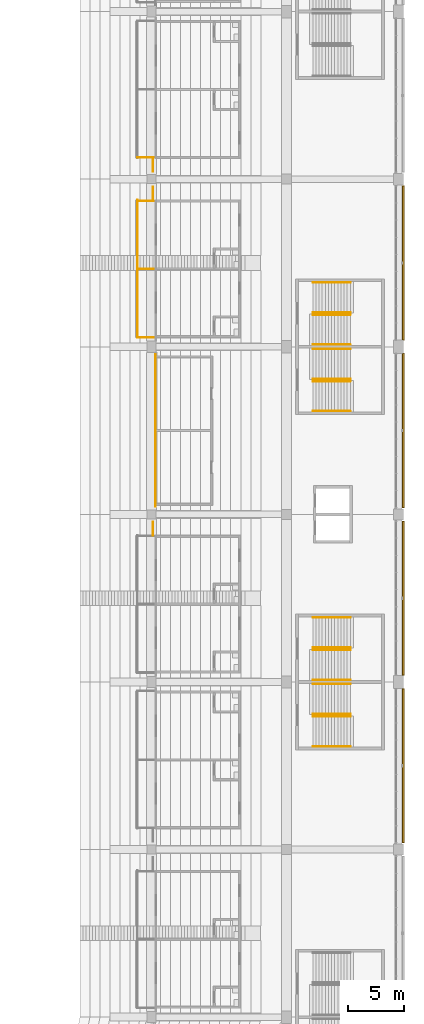
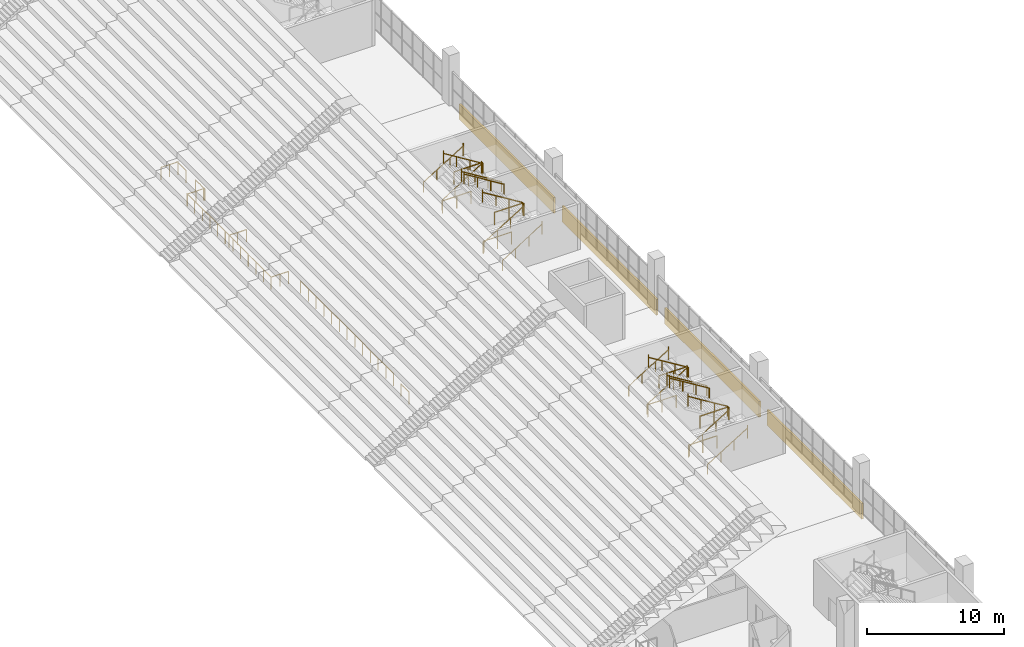
# One storey, part 238 of 249: 33 railings, 4 coverings.
"""IFC4 building model written with IfcOpenShell, lengths in metres."""

from ifc_helpers import new_model, si_unit, direction, frame, origin, origin_2d, place, context, subcontext, project, spatial, polyline, circle, outline, extrude, material, layer, layer_set, type_object, element, save


model = new_model("IFC4")

# Units and contexts
model_context = context("Model", 3, precision=1e-05, world=origin(), true_north=direction((0.0, 1.0)))
body_context = subcontext(model_context, "Body", "Model", "MODEL_VIEW")
ifc_project = project(units=[si_unit("LENGTHUNIT", "METRE"), si_unit("AREAUNIT", "SQUARE_METRE"), si_unit("VOLUMEUNIT", "CUBIC_METRE"), si_unit("PLANEANGLEUNIT", "RADIAN"), si_unit("MASSUNIT", "GRAM", prefix="KILO")], contexts=[model_context])

# Site, building, storey
site_placement = place(None, origin())
site = spatial("IfcSite", under=ifc_project, at=site_placement, CompositionType="ELEMENT")
building_placement = place(site_placement, origin())
building = spatial("IfcBuilding", under=site, at=building_placement, Name="Ogive Plaza Stadium", CompositionType="ELEMENT")
storey_placement = place(building_placement, frame((0.0, 0.0, 13.5)))
storey = spatial("IfcBuildingStorey", under=building, at=storey_placement, Name="L03", CompositionType="ELEMENT", Elevation=13.5)

# Railings
ifc_material_1 = material(Name="Steel ASTM A572 Grade 50", Category="steel")
railing_type_1 = type_object("IfcRailingType", Name="Guard 1100", PredefinedType="GUARDRAIL", material=ifc_material_1)
for number, where, name in (
    (1, (76.35009765625, 4.52490234375, 0.0), "Stair well guard ST04A L03"),
    (2, (77.31005859375, 4.52490234375, 2.25), "Stair well guard ST04A L03"),
    (3, (76.35009765625, 10.47509765625, 0.0), "Stair well guard ST04B L03"),
    (4, (77.31005859375, 10.47509765625, 2.25), "Stair well guard ST04B L03"),
    (5, (76.35009765625, -25.47509765625, 0.0), "Stair well guard ST06A L03"),
    (6, (77.31005859375, -25.47509765625, 2.25), "Stair well guard ST06A L03"),
    (7, (76.35009765625, -19.52490234375, 0.0), "Stair well guard ST06B L03"),
    (8, (77.31005859375, -19.52490234375, 2.25), "Stair well guard ST06B L03"),
):
    element("IfcRailing", number, at=place(storey_placement, frame(where)), inside=storey, type_object=railing_type_1, Name=name, PredefinedType="GUARDRAIL", context=body_context, shape_type="SweptSolid", body=[
        extrude(circle(Radius=0.02392578125, at=origin_2d()), frame((0.0, 0.0, 1.076171875), z_axis=(1.0, 0.0, 0.0), x_axis=(0.0, 1.0, 0.0)), (0.0, 0.0, 1.0), 2.39990234375),
        extrude(circle(Radius=0.02099609375, at=origin_2d()), origin(), (0.0, 0.0, 1.0), 1.052001953125),
        extrude(circle(Radius=0.02099609375, at=origin_2d()), frame((1.199951171875, 0.0, 0.0)), (0.0, 0.0, 1.0), 1.052001953125),
        extrude(circle(Radius=0.02099609375, at=origin_2d()), frame((2.39990234375, 0.0, 0.0)), (0.0, 0.0, 1.0), 1.052001953125),
    ])
railing_1_placement = place(storey_placement, frame((62.25, 6.800048828125, 0.0)))
element("IfcRailing", 9, at=railing_1_placement, inside=storey, type_object=railing_type_1, Name="Guard L03 B04", PredefinedType="GUARDRAIL", context=body_context, shape_type="SweptSolid", body=[
    extrude(circle(Radius=0.02392578125, at=origin_2d()), frame((0.0, 0.0, 1.076171875), z_axis=(0.0, -1.0, 0.0), x_axis=(1.0, 0.0, 0.0)), (0.0, 0.0, 1.0), 13.60009765625),
    extrude(circle(Radius=0.02099609375, at=origin_2d()), origin(), (0.0, 0.0, 1.0), 1.052001953125),
    extrude(circle(Radius=0.02099609375, at=origin_2d()), frame((0.0, -1.13330078125, 0.0)), (0.0, 0.0, 1.0), 1.052001953125),
    extrude(circle(Radius=0.02099609375, at=origin_2d()), frame((0.0, -2.2666015625, 0.0)), (0.0, 0.0, 1.0), 1.052001953125),
    extrude(circle(Radius=0.02099609375, at=origin_2d()), frame((0.0, -3.39990234375, 0.0)), (0.0, 0.0, 1.0), 1.052001953125),
    extrude(circle(Radius=0.02099609375, at=origin_2d()), frame((0.0, -4.533447265625, 0.0)), (0.0, 0.0, 1.0), 1.052001953125),
    extrude(circle(Radius=0.02099609375, at=origin_2d()), frame((0.0, -5.666748046875, 0.0)), (0.0, 0.0, 1.0), 1.052001953125),
    extrude(circle(Radius=0.02099609375, at=origin_2d()), frame((0.0, -6.800048828125, 0.0)), (0.0, 0.0, 1.0), 1.052001953125),
    extrude(circle(Radius=0.02099609375, at=origin_2d()), frame((0.0, -7.933349609375, 0.0)), (0.0, 0.0, 1.0), 1.052001953125),
    extrude(circle(Radius=0.02099609375, at=origin_2d()), frame((0.0, -9.066650390625, 0.0)), (0.0, 0.0, 1.0), 1.052001953125),
    extrude(circle(Radius=0.02099609375, at=origin_2d()), frame((0.0, -10.2001953125, 0.0)), (0.0, 0.0, 1.0), 1.052001953125),
    extrude(circle(Radius=0.02099609375, at=origin_2d()), frame((0.0, -11.33349609375, 0.0)), (0.0, 0.0, 1.0), 1.052001953125),
    extrude(circle(Radius=0.02099609375, at=origin_2d()), frame((0.0, -12.466796875, 0.0)), (0.0, 0.0, 1.0), 1.052001953125),
    extrude(circle(Radius=0.02099609375, at=origin_2d()), frame((0.0, -13.60009765625, 0.0)), (0.0, 0.0, 1.0), 1.052001953125),
])
railing_2_placement = place(storey_placement, frame((62.050048828125, 24.375, 0.0)))
element("IfcRailing", 10, at=railing_2_placement, inside=storey, type_object=railing_type_1, Name="Floor edge guard B02", PredefinedType="GUARDRAIL", context=body_context, shape_type="SweptSolid", body=[
    extrude(circle(Radius=0.02392578125, at=origin_2d()), frame((0.0, 0.0, 1.076171875), z_axis=(0.0, -1.0, 0.0), x_axis=(1.0, 0.0, 0.0)), (0.0, 0.0, 1.0), 1.175048828125),
    extrude(circle(Radius=0.02099609375, at=origin_2d()), origin(), (0.0, 0.0, 1.0), 1.052001953125),
    extrude(circle(Radius=0.02099609375, at=origin_2d()), frame((0.0, -1.175048828125, 0.0)), (0.0, 0.0, 1.0), 1.052001953125),
])
railing_3_placement = place(storey_placement, frame((60.64990234375, 24.449951171875, 0.0)))
element("IfcRailing", 11, at=railing_3_placement, inside=storey, type_object=railing_type_1, Name="Terrace screen B02", PredefinedType="GUARDRAIL", context=body_context, shape_type="SweptSolid", body=[
    extrude(circle(Radius=0.02392578125, at=origin_2d()), frame((0.0, 0.0, 1.076171875), z_axis=(1.0, 0.0, 0.0), x_axis=(0.0, 1.0, 0.0)), (0.0, 0.0, 1.0), 1.4501953125),
    extrude(circle(Radius=0.02099609375, at=origin_2d()), origin(), (0.0, 0.0, 1.0), 1.052001953125),
    extrude(circle(Radius=0.02099609375, at=origin_2d()), frame((0.72509765625, 0.0, 0.0)), (0.0, 0.0, 1.0), 1.052001953125),
    extrude(circle(Radius=0.02099609375, at=origin_2d()), frame((1.4501953125, 0.0, 0.0)), (0.0, 0.0, 1.0), 1.052001953125),
])
railing_4_placement = place(storey_placement, frame((60.64990234375, 8.324951171875, 0.0)))
element("IfcRailing", 12, at=railing_4_placement, inside=storey, type_object=railing_type_1, Name="Terrace guard B03", PredefinedType="GUARDRAIL", context=body_context, shape_type="SweptSolid", body=[
    extrude(circle(Radius=0.02392578125, at=origin_2d()), frame((0.0, 0.0, 1.076171875), z_axis=(0.0, 1.0, 0.0), x_axis=(-1.0, 0.0, 0.0)), (0.0, 0.0, 1.0), 12.300048828125),
    extrude(circle(Radius=0.02099609375, at=origin_2d()), origin(), (0.0, 0.0, 1.0), 1.052001953125),
    extrude(circle(Radius=0.02099609375, at=origin_2d()), frame((0.0, 1.1181640625, 0.0)), (0.0, 0.0, 1.0), 1.052001953125),
    extrude(circle(Radius=0.02099609375, at=origin_2d()), frame((0.0, 2.236328125, 0.0)), (0.0, 0.0, 1.0), 1.052001953125),
    extrude(circle(Radius=0.02099609375, at=origin_2d()), frame((0.0, 3.3544921875, 0.0)), (0.0, 0.0, 1.0), 1.052001953125),
    extrude(circle(Radius=0.02099609375, at=origin_2d()), frame((0.0, 4.47265625, 0.0)), (0.0, 0.0, 1.0), 1.052001953125),
    extrude(circle(Radius=0.02099609375, at=origin_2d()), frame((0.0, 5.5908203125, 0.0)), (0.0, 0.0, 1.0), 1.052001953125),
    extrude(circle(Radius=0.02099609375, at=origin_2d()), frame((0.0, 6.709228515625, 0.0)), (0.0, 0.0, 1.0), 1.052001953125),
    extrude(circle(Radius=0.02099609375, at=origin_2d()), frame((0.0, 7.827392578125, 0.0)), (0.0, 0.0, 1.0), 1.052001953125),
    extrude(circle(Radius=0.02099609375, at=origin_2d()), frame((0.0, 8.945556640625, 0.0)), (0.0, 0.0, 1.0), 1.052001953125),
    extrude(circle(Radius=0.02099609375, at=origin_2d()), frame((0.0, 10.063720703125, 0.0)), (0.0, 0.0, 1.0), 1.052001953125),
    extrude(circle(Radius=0.02099609375, at=origin_2d()), frame((0.0, 11.181884765625, 0.0)), (0.0, 0.0, 1.0), 1.052001953125),
    extrude(circle(Radius=0.02099609375, at=origin_2d()), frame((0.0, 12.300048828125, 0.0)), (0.0, 0.0, 1.0), 1.052001953125),
])
railing_5_placement = place(storey_placement, frame((62.050048828125, 20.625, 0.0)))
element("IfcRailing", 13, at=railing_5_placement, inside=storey, type_object=railing_type_1, Name="Floor edge guard B03", PredefinedType="GUARDRAIL", context=body_context, shape_type="SweptSolid", body=[
    extrude(circle(Radius=0.02392578125, at=origin_2d()), frame((0.0, 0.0, 1.076171875), z_axis=(0.0, 1.0, 0.0), x_axis=(-1.0, 0.0, 0.0)), (0.0, 0.0, 1.0), 1.175048828125),
    extrude(circle(Radius=0.02099609375, at=origin_2d()), origin(), (0.0, 0.0, 1.0), 1.052001953125),
    extrude(circle(Radius=0.02099609375, at=origin_2d()), frame((0.0, 1.175048828125, 0.0)), (0.0, 0.0, 1.0), 1.052001953125),
])
for number, where, name in (
    (14, (60.64990234375, 8.324951171875, 0.0), "Terrace screen B03"),
    (15, (60.64990234375, 14.47509765625, 0.0), "Terrace screen B03"),
    (16, (60.64990234375, 20.550048828125, 0.0), "Terrace screen B03"),
):
    element("IfcRailing", number, at=place(storey_placement, frame(where)), inside=storey, type_object=railing_type_1, Name=name, PredefinedType="GUARDRAIL", context=body_context, shape_type="SweptSolid", body=[
        extrude(circle(Radius=0.02392578125, at=origin_2d()), frame((0.0, 0.0, 1.076171875), z_axis=(1.0, 0.0, 0.0), x_axis=(0.0, 1.0, 0.0)), (0.0, 0.0, 1.0), 1.4501953125),
        extrude(circle(Radius=0.02099609375, at=origin_2d()), origin(), (0.0, 0.0, 1.0), 1.052001953125),
        extrude(circle(Radius=0.02099609375, at=origin_2d()), frame((0.72509765625, 0.0, 0.0)), (0.0, 0.0, 1.0), 1.052001953125),
        extrude(circle(Radius=0.02099609375, at=origin_2d()), frame((1.4501953125, 0.0, 0.0)), (0.0, 0.0, 1.0), 1.052001953125),
    ])
railing_6_placement = place(storey_placement, frame((62.050048828125, -9.375, 0.0)))
element("IfcRailing", 17, at=railing_6_placement, inside=storey, type_object=railing_type_1, Name="Floor edge guard B05", PredefinedType="GUARDRAIL", context=body_context, shape_type="SweptSolid", body=[
    extrude(circle(Radius=0.02392578125, at=origin_2d()), frame((0.0, 0.0, 1.076171875), z_axis=(0.0, 1.0, 0.0), x_axis=(-1.0, 0.0, 0.0)), (0.0, 0.0, 1.0), 1.175048828125),
    extrude(circle(Radius=0.02099609375, at=origin_2d()), origin(), (0.0, 0.0, 1.0), 1.052001953125),
    extrude(circle(Radius=0.02099609375, at=origin_2d()), frame((0.0, 1.175048828125, 0.0)), (0.0, 0.0, 1.0), 1.052001953125),
])
ifc_material_2 = material(Name="Steel ASTM A572 Grade 50", Category="steel")
railing_type_2 = type_object("IfcRailingType", Name="Handrail 900", PredefinedType="HANDRAIL", material=ifc_material_2)
for number, where, name in (
    (18, (76.35009765625, 1.735107421875, 0.173095703125), "Handrail ST04A L03"),
    (19, (76.35009765625, 4.4150390625, 0.173095703125), "Handrail ST04A L03"),
):
    element("IfcRailing", number, at=place(storey_placement, frame(where)), inside=storey, type_object=railing_type_2, Name=name, PredefinedType="HANDRAIL", context=body_context, shape_type="SweptSolid", body=[
        extrude(circle(Radius=0.02392578125, at=origin_2d()), frame((0.0, 0.0, 0.8759765625), z_axis=(0.850606129759, 0.0, 0.525803396734), x_axis=(0.0, 1.0, 0.0)), (0.0, 0.0, 1.0), 3.949951171875),
        extrude(circle(Radius=0.02099609375, at=origin_2d()), origin(), (0.0, 0.0, 1.0), 0.851806640625),
        extrude(circle(Radius=0.02099609375, at=origin_2d()), frame((1.119873046875, 0.0, 0.6923828125)), (0.0, 0.0, 1.0), 0.851806640625),
        extrude(circle(Radius=0.02099609375, at=origin_2d()), frame((2.239990234375, 0.0, 1.384521484375)), (0.0, 0.0, 1.0), 0.851806640625),
        extrude(circle(Radius=0.02099609375, at=origin_2d()), frame((3.35986328125, 0.0, 2.076904296875)), (0.0, 0.0, 1.0), 1.10009765625),
    ])
for number, where, name in (
    (20, (79.7099609375, 4.635009765625, 2.423095703125), "Handrail ST04A L03"),
    (21, (79.7099609375, 7.31494140625, 2.423095703125), "Handrail ST04A L03"),
):
    element("IfcRailing", number, at=place(storey_placement, frame(where)), inside=storey, type_object=railing_type_2, Name=name, PredefinedType="HANDRAIL", context=body_context, shape_type="SweptSolid", body=[
        extrude(circle(Radius=0.02392578125, at=origin_2d()), frame((0.0, 0.0, 0.8759765625), z_axis=(-0.850606129759, 0.0, 0.525803396734), x_axis=(0.0, -1.0, 0.0)), (0.0, 0.0, 1.0), 3.949951171875),
        extrude(circle(Radius=0.02099609375, at=origin_2d()), origin(), (0.0, 0.0, 1.0), 0.851806640625),
        extrude(circle(Radius=0.02099609375, at=origin_2d()), frame((-1.119873046875, 0.0, 0.6923828125)), (0.0, 0.0, 1.0), 0.851806640625),
        extrude(circle(Radius=0.02099609375, at=origin_2d()), frame((-2.239990234375, 0.0, 1.384521484375)), (0.0, 0.0, 1.0), 0.851806640625),
        extrude(circle(Radius=0.02099609375, at=origin_2d()), frame((-3.35986328125, 0.0, 2.076904296875)), (0.0, 0.0, 1.0), 1.10009765625),
    ])
for number, where, name in (
    (22, (76.35009765625, 10.5849609375, 0.173095703125), "Handrail ST04B L03"),
    (23, (76.35009765625, 13.264892578125, 0.173095703125), "Handrail ST04B L03"),
):
    element("IfcRailing", number, at=place(storey_placement, frame(where)), inside=storey, type_object=railing_type_2, Name=name, PredefinedType="HANDRAIL", context=body_context, shape_type="SweptSolid", body=[
        extrude(circle(Radius=0.02392578125, at=origin_2d()), frame((0.0, 0.0, 0.8759765625), z_axis=(0.850606129759, 0.0, 0.525803396734), x_axis=(0.0, 1.0, 0.0)), (0.0, 0.0, 1.0), 3.949951171875),
        extrude(circle(Radius=0.02099609375, at=origin_2d()), origin(), (0.0, 0.0, 1.0), 0.851806640625),
        extrude(circle(Radius=0.02099609375, at=origin_2d()), frame((1.119873046875, 0.0, 0.6923828125)), (0.0, 0.0, 1.0), 0.851806640625),
        extrude(circle(Radius=0.02099609375, at=origin_2d()), frame((2.239990234375, 0.0, 1.384521484375)), (0.0, 0.0, 1.0), 0.851806640625),
        extrude(circle(Radius=0.02099609375, at=origin_2d()), frame((3.35986328125, 0.0, 2.076904296875)), (0.0, 0.0, 1.0), 1.10009765625),
    ])
for number, where, name in (
    (24, (79.7099609375, 7.68505859375, 2.423095703125), "Handrail ST04B L03"),
    (25, (79.7099609375, 10.364990234375, 2.423095703125), "Handrail ST04B L03"),
):
    element("IfcRailing", number, at=place(storey_placement, frame(where)), inside=storey, type_object=railing_type_2, Name=name, PredefinedType="HANDRAIL", context=body_context, shape_type="SweptSolid", body=[
        extrude(circle(Radius=0.02392578125, at=origin_2d()), frame((0.0, 0.0, 0.8759765625), z_axis=(-0.850606129759, 0.0, 0.525803396734), x_axis=(0.0, -1.0, 0.0)), (0.0, 0.0, 1.0), 3.949951171875),
        extrude(circle(Radius=0.02099609375, at=origin_2d()), origin(), (0.0, 0.0, 1.0), 0.851806640625),
        extrude(circle(Radius=0.02099609375, at=origin_2d()), frame((-1.119873046875, 0.0, 0.6923828125)), (0.0, 0.0, 1.0), 0.851806640625),
        extrude(circle(Radius=0.02099609375, at=origin_2d()), frame((-2.239990234375, 0.0, 1.384521484375)), (0.0, 0.0, 1.0), 0.851806640625),
        extrude(circle(Radius=0.02099609375, at=origin_2d()), frame((-3.35986328125, 0.0, 2.076904296875)), (0.0, 0.0, 1.0), 1.10009765625),
    ])
for number, where, name in (
    (26, (76.35009765625, -28.264892578125, 0.173095703125), "Handrail ST06A L03"),
    (27, (76.35009765625, -25.5849609375, 0.173095703125), "Handrail ST06A L03"),
):
    element("IfcRailing", number, at=place(storey_placement, frame(where)), inside=storey, type_object=railing_type_2, Name=name, PredefinedType="HANDRAIL", context=body_context, shape_type="SweptSolid", body=[
        extrude(circle(Radius=0.02392578125, at=origin_2d()), frame((0.0, 0.0, 0.8759765625), z_axis=(0.850606129759, 0.0, 0.525803396734), x_axis=(0.0, 1.0, 0.0)), (0.0, 0.0, 1.0), 3.949951171875),
        extrude(circle(Radius=0.02099609375, at=origin_2d()), origin(), (0.0, 0.0, 1.0), 0.851806640625),
        extrude(circle(Radius=0.02099609375, at=origin_2d()), frame((1.119873046875, 0.0, 0.6923828125)), (0.0, 0.0, 1.0), 0.851806640625),
        extrude(circle(Radius=0.02099609375, at=origin_2d()), frame((2.239990234375, 0.0, 1.384521484375)), (0.0, 0.0, 1.0), 0.851806640625),
        extrude(circle(Radius=0.02099609375, at=origin_2d()), frame((3.35986328125, 0.0, 2.076904296875)), (0.0, 0.0, 1.0), 1.10009765625),
    ])
for number, where, name in (
    (28, (79.7099609375, -25.364990234375, 2.423095703125), "Handrail ST06A L03"),
    (29, (79.7099609375, -22.68505859375, 2.423095703125), "Handrail ST06A L03"),
):
    element("IfcRailing", number, at=place(storey_placement, frame(where)), inside=storey, type_object=railing_type_2, Name=name, PredefinedType="HANDRAIL", context=body_context, shape_type="SweptSolid", body=[
        extrude(circle(Radius=0.02392578125, at=origin_2d()), frame((0.0, 0.0, 0.8759765625), z_axis=(-0.850606129759, 0.0, 0.525803396734), x_axis=(0.0, -1.0, 0.0)), (0.0, 0.0, 1.0), 3.949951171875),
        extrude(circle(Radius=0.02099609375, at=origin_2d()), origin(), (0.0, 0.0, 1.0), 0.851806640625),
        extrude(circle(Radius=0.02099609375, at=origin_2d()), frame((-1.119873046875, 0.0, 0.6923828125)), (0.0, 0.0, 1.0), 0.851806640625),
        extrude(circle(Radius=0.02099609375, at=origin_2d()), frame((-2.239990234375, 0.0, 1.384521484375)), (0.0, 0.0, 1.0), 0.851806640625),
        extrude(circle(Radius=0.02099609375, at=origin_2d()), frame((-3.35986328125, 0.0, 2.076904296875)), (0.0, 0.0, 1.0), 1.10009765625),
    ])
for number, where, name in (
    (30, (76.35009765625, -19.4150390625, 0.173095703125), "Handrail ST06B L03"),
    (31, (76.35009765625, -16.735107421875, 0.173095703125), "Handrail ST06B L03"),
):
    element("IfcRailing", number, at=place(storey_placement, frame(where)), inside=storey, type_object=railing_type_2, Name=name, PredefinedType="HANDRAIL", context=body_context, shape_type="SweptSolid", body=[
        extrude(circle(Radius=0.02392578125, at=origin_2d()), frame((0.0, 0.0, 0.8759765625), z_axis=(0.850606129759, 0.0, 0.525803396734), x_axis=(0.0, 1.0, 0.0)), (0.0, 0.0, 1.0), 3.949951171875),
        extrude(circle(Radius=0.02099609375, at=origin_2d()), origin(), (0.0, 0.0, 1.0), 0.851806640625),
        extrude(circle(Radius=0.02099609375, at=origin_2d()), frame((1.119873046875, 0.0, 0.6923828125)), (0.0, 0.0, 1.0), 0.851806640625),
        extrude(circle(Radius=0.02099609375, at=origin_2d()), frame((2.239990234375, 0.0, 1.384521484375)), (0.0, 0.0, 1.0), 0.851806640625),
        extrude(circle(Radius=0.02099609375, at=origin_2d()), frame((3.35986328125, 0.0, 2.076904296875)), (0.0, 0.0, 1.0), 1.10009765625),
    ])
for number, where, name in (
    (32, (79.7099609375, -22.31494140625, 2.423095703125), "Handrail ST06B L03"),
    (33, (79.7099609375, -19.635009765625, 2.423095703125), "Handrail ST06B L03"),
):
    element("IfcRailing", number, at=place(storey_placement, frame(where)), inside=storey, type_object=railing_type_2, Name=name, PredefinedType="HANDRAIL", context=body_context, shape_type="SweptSolid", body=[
        extrude(circle(Radius=0.02392578125, at=origin_2d()), frame((0.0, 0.0, 0.8759765625), z_axis=(-0.850606129759, 0.0, 0.525803396734), x_axis=(0.0, -1.0, 0.0)), (0.0, 0.0, 1.0), 3.949951171875),
        extrude(circle(Radius=0.02099609375, at=origin_2d()), origin(), (0.0, 0.0, 1.0), 0.851806640625),
        extrude(circle(Radius=0.02099609375, at=origin_2d()), frame((-1.119873046875, 0.0, 0.6923828125)), (0.0, 0.0, 1.0), 0.851806640625),
        extrude(circle(Radius=0.02099609375, at=origin_2d()), frame((-2.239990234375, 0.0, 1.384521484375)), (0.0, 0.0, 1.0), 0.851806640625),
        extrude(circle(Radius=0.02099609375, at=origin_2d()), frame((-3.35986328125, 0.0, 2.076904296875)), (0.0, 0.0, 1.0), 1.10009765625),
    ])

# Coverings
ifc_material_3 = material(Name="Cast stone (reconstituted limestone)", Category="masonry")
ifc_layer = layer(ifc_material_3, 0.159912109375)
ifc_layer_set = layer_set([ifc_layer], Name="Precast spandrel cladding 160")
covering_type = type_object("IfcCoveringType", Name="Precast spandrel cladding 160", PredefinedType="CLADDING", material=ifc_layer_set)
covering_1_placement = place(storey_placement, frame((0.0, 0.0, -1.409912109375)))
element("IfcCovering", 34, at=covering_1_placement, inside=storey, type_object=covering_type, Name="SPANDREL CLADDING B03 L03", PredefinedType="CLADDING", context=body_context, shape_type="SweptSolid", body=[
    extrude(outline(polyline([(84.35009765625, 21.89990234375), (84.35009765625, 8.10009765625), (84.510009765625, 8.10009765625), (84.510009765625, 21.89990234375), (84.35009765625, 21.89990234375)])), origin(), (0.0, 0.0, 1.0), 1.409912109375),
])
covering_2_placement = place(storey_placement, frame((0.0, 0.0, -1.409912109375)))
element("IfcCovering", 35, at=covering_2_placement, inside=storey, type_object=covering_type, Name="SPANDREL CLADDING B04 L03", PredefinedType="CLADDING", context=body_context, shape_type="SweptSolid", body=[
    extrude(outline(polyline([(84.35009765625, 6.89990234375), (84.35009765625, -6.89990234375), (84.510009765625, -6.89990234375), (84.510009765625, 6.89990234375), (84.35009765625, 6.89990234375)])), origin(), (0.0, 0.0, 1.0), 1.409912109375),
])
covering_3_placement = place(storey_placement, frame((0.0, 0.0, -1.409912109375)))
element("IfcCovering", 36, at=covering_3_placement, inside=storey, type_object=covering_type, Name="SPANDREL CLADDING B05 L03", PredefinedType="CLADDING", context=body_context, shape_type="SweptSolid", body=[
    extrude(outline(polyline([(84.35009765625, -8.10009765625), (84.35009765625, -21.89990234375), (84.510009765625, -21.89990234375), (84.510009765625, -8.10009765625), (84.35009765625, -8.10009765625)])), origin(), (0.0, 0.0, 1.0), 1.409912109375),
])
covering_4_placement = place(storey_placement, frame((0.0, 0.0, -1.409912109375)))
element("IfcCovering", 37, at=covering_4_placement, inside=storey, type_object=covering_type, Name="SPANDREL CLADDING B06 L03", PredefinedType="CLADDING", context=body_context, shape_type="SweptSolid", body=[
    extrude(outline(polyline([(84.35009765625, -23.10009765625), (84.35009765625, -36.89990234375), (84.510009765625, -36.89990234375), (84.510009765625, -23.10009765625), (84.35009765625, -23.10009765625)])), origin(), (0.0, 0.0, 1.0), 1.409912109375),
])

save(model, "model.ifc")
